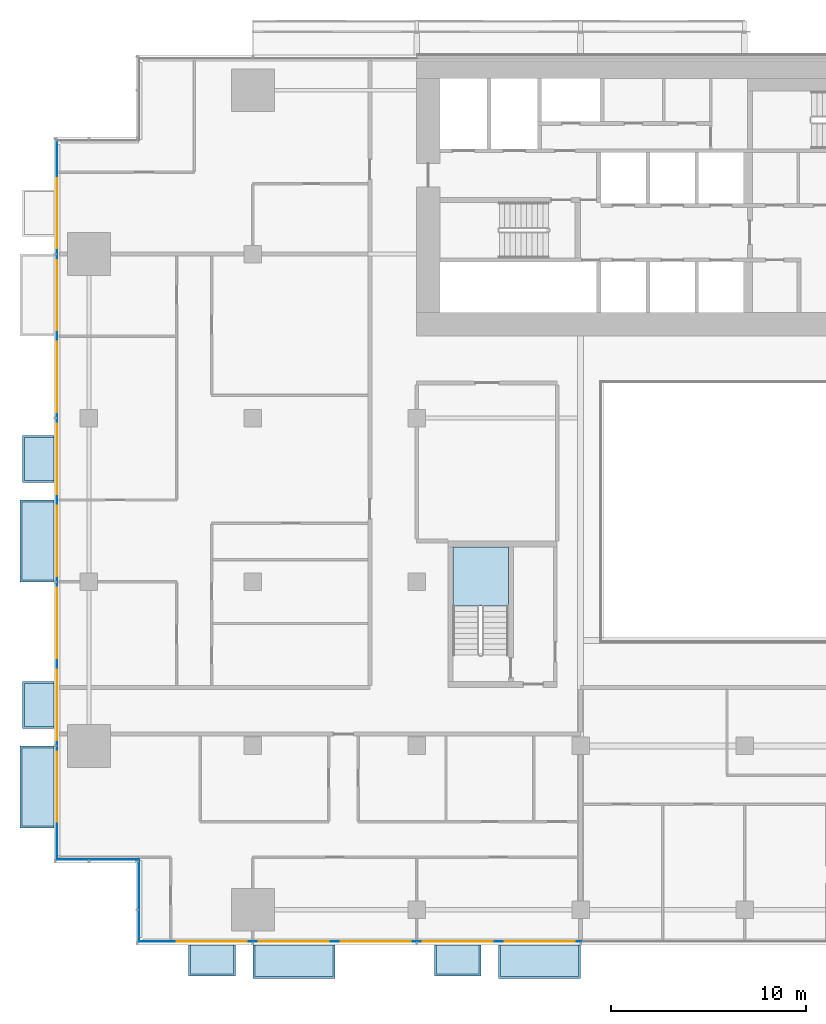
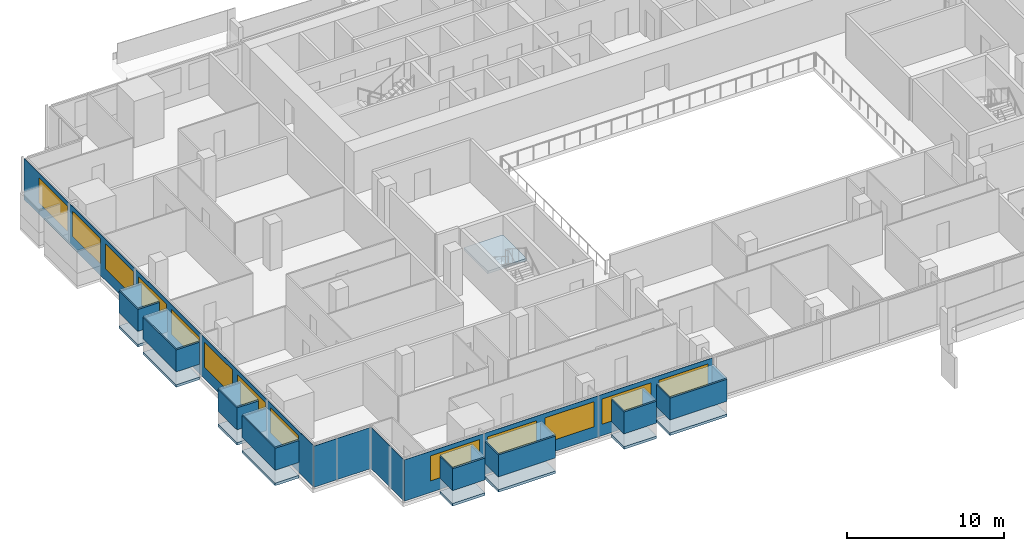
# One storey, part 14 of 27: 20 plates, 13 windows, 9 slabs, 13 openings, 5 elements without a shape of their own.
"""IFC4 building model written with IfcOpenShell, lengths in metres."""

import ifcopenshell
import ifcopenshell.guid

model = None  # the IFC model being written
_history = None  # IfcOwnerHistory: only IFC2X3 demands one
_inside = {}  # id of a spatial element -> (the spatial element, [elements in it])
_under = {}  # id of a project, library or spatial element -> (it, [spatial elements below it])
_declared = {}  # id of a project -> (the project, [libraries it declares])
_typed = {}  # id of a type object -> (the type object, [elements of that type])
_made_of = {}  # id of a material, layer set ... -> (it, [elements and type objects made of it])


def new_model(schema):
    """Start an empty IFC model of exactly this schema.

    Asked for "IFC4X3", IfcOpenShell would pick the latest addendum, in which some entities
    have other attributes; the version numbers below select the first issue.
    IFC2X3 requires an IfcOwnerHistory on every rooted entity: one is made here for all.
    """
    global model, _history
    if schema == "IFC4X3":
        model = ifcopenshell.file(schema_version=(4, 3, 0, 0))
    else:
        model = ifcopenshell.file(schema=schema)
    _inside.clear()
    _under.clear()
    _declared.clear()
    _typed.clear()
    _made_of.clear()
    _history = None
    if model.schema == "IFC2X3":
        org = make("IfcOrganization", Name="unknown")
        user = make(
            "IfcPersonAndOrganization",
            ThePerson=make("IfcPerson", FamilyName="unknown"),
            TheOrganization=org,
        )
        app = make(
            "IfcApplication",
            ApplicationDeveloper=org,
            Version="unknown",
            ApplicationFullName="unknown",
            ApplicationIdentifier="unknown",
        )
        _history = make(
            "IfcOwnerHistory",
            OwningUser=user,
            OwningApplication=app,
            ChangeAction="ADDED",
            CreationDate=0,
        )
    return model


def make(cls, **values):
    """One entity of the class cls with the attributes given. An attribute that is None is left unset."""
    return model.create_entity(
        cls, **{name: value for name, value in values.items() if value is not None}
    )


def rooted(cls, **values):
    """An entity with a GlobalId (a new one), such as an element, a storey or a relation."""
    return make(cls, GlobalId=ifcopenshell.guid.new(), OwnerHistory=_history, **values)


def si_unit(unit_type, name, prefix=None):
    """IfcSIUnit, for example si_unit("LENGTHUNIT", "METRE", prefix="MILLI")."""
    return make("IfcSIUnit", UnitType=unit_type, Prefix=prefix, Name=name)


def assignment(units):
    """IfcUnitAssignment: the units of a project."""
    return None if units is None else make("IfcUnitAssignment", Units=units)


def point(xyz):
    """IfcCartesianPoint."""
    return None if xyz is None else make("IfcCartesianPoint", Coordinates=xyz)


def direction(xyz):
    """IfcDirection."""
    return None if xyz is None else make("IfcDirection", DirectionRatios=xyz)


def frame(location, z_axis=None, x_axis=None):
    """IfcAxis2Placement3D, a coordinate frame: its origin and axes. An axis left out is left unset."""
    return make(
        "IfcAxis2Placement3D",
        Location=point(location),
        Axis=direction(z_axis),
        RefDirection=direction(x_axis),
    )


def frame_2d(location, x_axis=None):
    """IfcAxis2Placement2D, a coordinate frame in the plane: its origin and x axis."""
    return make(
        "IfcAxis2Placement2D", Location=point(location), RefDirection=direction(x_axis)
    )


def origin():
    """The frame at (0, 0, 0) with its axes left unset."""
    return frame((0.0, 0.0, 0.0))


def place(relative_to, where):
    """IfcLocalPlacement: puts the frame where relative to a parent placement (None: the world)."""
    return make(
        "IfcLocalPlacement", PlacementRelTo=relative_to, RelativePlacement=where
    )


def context(
    kind, dimensions, precision=None, world=None, true_north=None, identifier=None
):
    """IfcGeometricRepresentationContext, for example the 3D "Model" context."""
    return make(
        "IfcGeometricRepresentationContext",
        ContextIdentifier=identifier,
        ContextType=kind,
        CoordinateSpaceDimension=dimensions,
        Precision=precision,
        WorldCoordinateSystem=world,
        TrueNorth=true_north,
    )


def subcontext(parent, identifier, kind, view, scale=None):
    """IfcGeometricRepresentationSubContext, for example "Body" below "Model"."""
    return make(
        "IfcGeometricRepresentationSubContext",
        ContextIdentifier=identifier,
        ContextType=kind,
        ParentContext=parent,
        TargetScale=scale,
        TargetView=view,
    )


def project(units=None, contexts=None):
    """IfcProject with its units and contexts."""
    return rooted(
        "IfcProject",
        Name="project",
        RepresentationContexts=contexts,
        UnitsInContext=assignment(units),
    )


def spatial(cls, under=None, at=None, **own):
    """A site, building, storey or space (cls), placed at a placement, below another one or the project."""
    s = rooted(cls, ObjectPlacement=at, **own)
    if under is not None:
        _under.setdefault(under.id(), (under, []))[1].append(s)
    return s


def polyline(points):
    """IfcPolyline through the points."""
    return make("IfcPolyline", Points=[point(p) for p in points])


def profile(cls, at=None, kind="AREA", **sizes):
    """A parametric profile (cls). Its sizes go by their IFC names, for example OverallWidth=200.0."""
    return make(cls, ProfileType=kind, Position=at, **sizes)


def rectangle(**sizes):
    """IfcRectangleProfileDef."""
    return profile("IfcRectangleProfileDef", **sizes)


def outline(outer, holes=None, kind="AREA"):
    """IfcArbitraryClosedProfileDef: a profile drawn as a closed curve; with holes, ...WithVoids."""
    if holes is None:
        return make("IfcArbitraryClosedProfileDef", ProfileType=kind, OuterCurve=outer)
    return make(
        "IfcArbitraryProfileDefWithVoids",
        ProfileType=kind,
        OuterCurve=outer,
        InnerCurves=holes,
    )


def extrude(swept, where, along, depth):
    """IfcExtrudedAreaSolid: the profile swept, set in the frame where, extruded along a direction by depth."""
    return make(
        "IfcExtrudedAreaSolid",
        SweptArea=swept,
        Position=where,
        ExtrudedDirection=direction(along),
        Depth=depth,
    )


def shape(context_of_items, identifier, shape_type, items):
    """IfcShapeRepresentation: the items that make up one representation, for example the "Body"."""
    return make(
        "IfcShapeRepresentation",
        ContextOfItems=context_of_items,
        RepresentationIdentifier=identifier,
        RepresentationType=shape_type,
        Items=items,
    )


def material(Name=None, Category=None):
    """IfcMaterial."""
    return make("IfcMaterial", Name=Name, Category=Category)


def layer(
    of_material, thickness, ventilated=None, Name=None, Category=None, Priority=None
):
    """IfcMaterialLayer: one layer of a wall or slab, of a material (None: an air gap)."""
    return make(
        "IfcMaterialLayer",
        Material=of_material,
        LayerThickness=thickness,
        IsVentilated=ventilated,
        Name=Name,
        Category=Category,
        Priority=Priority,
    )


def layer_set(layers, Name=None):
    """IfcMaterialLayerSet."""
    return make("IfcMaterialLayerSet", MaterialLayers=layers, LayerSetName=Name)


def made_of(thing, what):
    """Note that an element or type object is made of a material, layer set ...; save() writes the relation."""
    if what is not None:
        _made_of.setdefault(what.id(), (what, []))[1].append(thing)
    return thing


def type_object(cls, material=None, **own):
    """A type object (cls), such as IfcWallType, which elements share."""
    return made_of(rooted(cls, **own), material)


def element(
    cls,
    number,
    at=None,
    inside=None,
    cuts=None,
    type_object=None,
    material=None,
    context=None,
    identifier="Body",
    shape_type=None,
    held_by="IfcProductDefinitionShape",
    body=None,
    shapes=None,
    **own,
):
    """One element of the class cls, such as IfcWall. Its Tag is "e" and its number.

    at: its placement. inside: the storey or other place that contains it. cuts: it is an
    opening in that element (IfcRelVoidsElement). A single representation is given by context,
    identifier, shape_type and body (its items); several are given by shapes. held_by: the class
    of the entity that holds the representations. save() writes the other relations.
    """
    e = rooted(cls, Tag="e%d" % number, ObjectPlacement=at, **own)
    if body is not None:
        shapes = [shape(context, identifier, shape_type, body)]
    if shapes is not None:
        e.Representation = make(held_by, Representations=shapes)
    if inside is not None:
        _inside.setdefault(inside.id(), (inside, []))[1].append(e)
    if cuts is not None:
        rooted(
            "IfcRelVoidsElement", RelatingBuildingElement=cuts, RelatedOpeningElement=e
        )
    if type_object is not None:
        _typed.setdefault(type_object.id(), (type_object, []))[1].append(e)
    return made_of(e, material)


def fill(opening, filler):
    """IfcRelFillsElement: the door or window that sits in an opening."""
    return rooted(
        "IfcRelFillsElement",
        RelatingOpeningElement=opening,
        RelatedBuildingElement=filler,
    )


def aggregate(whole, parts):
    """IfcRelAggregates: a whole, such as a stair, and the parts it consists of."""
    return rooted("IfcRelAggregates", RelatingObject=whole, RelatedObjects=parts)


def save(model, path):
    """Write the relations noted so far, then the file.

    IfcRelAggregates (storeys below a building ...), IfcRelContainedInSpatialStructure (elements
    in a storey), IfcRelDefinesByType, IfcRelAssociatesMaterial and IfcRelDeclares: one each for
    every whole, place, type object, material and project.
    """
    for whole, parts in _under.values():
        aggregate(whole, parts)
    for where, things in _inside.values():
        rooted(
            "IfcRelContainedInSpatialStructure",
            RelatedElements=things,
            RelatingStructure=where,
        )
    for kind, things in _typed.values():
        rooted("IfcRelDefinesByType", RelatedObjects=things, RelatingType=kind)
    for what, things in _made_of.values():
        rooted("IfcRelAssociatesMaterial", RelatedObjects=things, RelatingMaterial=what)
    for by, libraries in _declared.values():
        rooted("IfcRelDeclares", RelatingContext=by, RelatedDefinitions=libraries)
    model.write(path)


model = new_model("IFC4")

# Units and contexts
model_context = context("Model", 3, precision=1e-05, world=origin(), true_north=direction((0.0, 1.0)))
body_context = subcontext(model_context, "Body", "Model", "MODEL_VIEW")
ifc_project = project(units=[si_unit("LENGTHUNIT", "METRE"), si_unit("AREAUNIT", "SQUARE_METRE"), si_unit("VOLUMEUNIT", "CUBIC_METRE"), si_unit("PLANEANGLEUNIT", "RADIAN"), si_unit("MASSUNIT", "GRAM", prefix="KILO")], contexts=[model_context])

# Site, building, storey
site_placement = place(None, origin())
site = spatial("IfcSite", under=ifc_project, at=site_placement, CompositionType="ELEMENT")
building_placement = place(site_placement, origin())
building = spatial("IfcBuilding", under=site, at=building_placement, Name="Saffron Gate Tower", CompositionType="ELEMENT")
storey_placement = place(building_placement, frame((0.0, 0.0, 44.39990234375)))
storey = spatial("IfcBuildingStorey", under=building, at=storey_placement, Name="L09", CompositionType="ELEMENT", Elevation=44.39990234375)

# Curtain wall, plate, openings, windows
ifc_material_1 = material(Name="Aluminium, bronze anodised", Category="aluminium")
curtain_wall_type_1 = type_object("IfcCurtainWallType", Name="CWS1 curtain wall front facade", PredefinedType="NOTDEFINED", material=ifc_material_1)
curtain_wall_1_placement = place(storey_placement, origin())
curtain_wall_1 = element("IfcCurtainWall", 1, at=curtain_wall_1_placement, inside=storey, type_object=curtain_wall_type_1, Name="CWS1 run 1", PredefinedType="NOTDEFINED")
ifc_material_2 = material(Name="Fritted bronze-tinted laminated glass", Category="glass")
ifc_layer_1 = layer(ifc_material_2, 0.028076171875)
ifc_layer_set_1 = layer_set([ifc_layer_1], Name="CWS1 fixed glass")
plate_type_1 = type_object("IfcPlateType", Name="CWS1 fixed glass", PredefinedType="CURTAIN_PANEL", material=ifc_layer_set_1)
plate_1_placement = place(storey_placement, frame((52.387939453125, 30.174072265625, 0.0), z_axis=(0.0, 0.0, 1.0), x_axis=(1.0, 0.0, 0.0)))
plate_1 = element("IfcPlate", 2, at=plate_1_placement, type_object=plate_type_1, Name="CWS1 glass panel", PredefinedType="CURTAIN_PANEL", context=body_context, shape_type="SweptSolid", body=[
    extrude(rectangle(XDim=22.64208984375, YDim=0.028076171875, at=frame_2d((11.321044921875, 0.0))), origin(), (0.0, 0.0, 1.0), 3.2001953125),
])
opening_1_placement = place(plate_1_placement, frame((1.912109375, 0.0, 0.89990234375)))
opening_1 = element("IfcOpeningElement", 3, at=opening_1_placement, cuts=plate_1, Name="Opening W1", PredefinedType="OPENING", context=body_context, shape_type="SweptSolid", body=[
    extrude(rectangle(XDim=3.60009765625, YDim=1.949951171875, at=frame_2d((1.800048828125, 0.97509765625))), frame((0.0, 0.02392578125, 0.0), z_axis=(0.0, -1.0, 0.0), x_axis=(1.0, 0.0, 0.0)), (0.0, 0.0, 1.0), 0.048095703125),
])
opening_2_placement = place(plate_1_placement, frame((6.112060546875, 0.0, 0.89990234375)))
opening_2 = element("IfcOpeningElement", 4, at=opening_2_placement, cuts=plate_1, Name="Opening W1", PredefinedType="OPENING", context=body_context, shape_type="SweptSolid", body=[
    extrude(rectangle(XDim=3.60009765625, YDim=1.949951171875, at=frame_2d((1.800048828125, 0.97509765625))), frame((0.0, 0.02392578125, 0.0), z_axis=(0.0, -1.0, 0.0), x_axis=(1.0, 0.0, 0.0)), (0.0, 0.0, 1.0), 0.048095703125),
])
opening_3_placement = place(plate_1_placement, frame((10.31201171875, 0.0, 0.89990234375)))
opening_3 = element("IfcOpeningElement", 5, at=opening_3_placement, cuts=plate_1, Name="Opening W1", PredefinedType="OPENING", context=body_context, shape_type="SweptSolid", body=[
    extrude(rectangle(XDim=3.60009765625, YDim=1.949951171875, at=frame_2d((1.800048828125, 0.97509765625))), frame((0.0, 0.02392578125, 0.0), z_axis=(0.0, -1.0, 0.0), x_axis=(1.0, 0.0, 0.0)), (0.0, 0.0, 1.0), 0.048095703125),
])
opening_4_placement = place(plate_1_placement, frame((14.511962890625, 0.0, 0.89990234375)))
opening_4 = element("IfcOpeningElement", 6, at=opening_4_placement, cuts=plate_1, Name="Opening W1", PredefinedType="OPENING", context=body_context, shape_type="SweptSolid", body=[
    extrude(rectangle(XDim=3.60009765625, YDim=1.949951171875, at=frame_2d((1.800048828125, 0.97509765625))), frame((0.0, 0.02392578125, 0.0), z_axis=(0.0, -1.0, 0.0), x_axis=(1.0, 0.0, 0.0)), (0.0, 0.0, 1.0), 0.048095703125),
])
opening_5_placement = place(plate_1_placement, frame((18.7119140625, 0.0, 0.89990234375)))
opening_5 = element("IfcOpeningElement", 7, at=opening_5_placement, cuts=plate_1, Name="Opening W1", PredefinedType="OPENING", context=body_context, shape_type="SweptSolid", body=[
    extrude(rectangle(XDim=3.60009765625, YDim=1.949951171875, at=frame_2d((1.800048828125, 0.97509765625))), frame((0.0, 0.02392578125, 0.0), z_axis=(0.0, -1.0, 0.0), x_axis=(1.0, 0.0, 0.0)), (0.0, 0.0, 1.0), 0.048095703125),
])
ifc_material_3 = material(Name="Fritted bronze-tinted laminated glass in bronze frame", Category="glass")
ifc_layer_2 = layer(ifc_material_3, 0.06005859375)
ifc_layer_set_2 = layer_set([ifc_layer_2], Name="W1 operable panel 3600x1950")
window_type = type_object("IfcWindowType", Name="W1 operable panel 3600x1950", PartitioningType="DOUBLE_PANEL_HORIZONTAL", PredefinedType="WINDOW", material=ifc_layer_set_2)
window_1_placement = place(opening_1_placement, origin())
window_1 = element("IfcWindow", 8, at=window_1_placement, type_object=window_type, Name="W1 operable panel", OverallHeight=1.949951171875, OverallWidth=3.60009765625, PartitioningType="SINGLE_PANEL", PredefinedType="WINDOW", context=body_context, shape_type="SweptSolid", body=[
    extrude(rectangle(XDim=3.60009765625, YDim=1.949951171875, at=frame_2d((1.800048828125, 0.97509765625))), frame((0.0, 0.013671875, 0.0), z_axis=(0.0, -1.0, 0.0), x_axis=(1.0, 0.0, 0.0)), (0.0, 0.0, 1.0), 0.027587890625),
])
fill(opening_1, window_1)
window_2_placement = place(opening_2_placement, origin())
window_2 = element("IfcWindow", 9, at=window_2_placement, type_object=window_type, Name="W1 operable panel", OverallHeight=1.949951171875, OverallWidth=3.60009765625, PartitioningType="SINGLE_PANEL", PredefinedType="WINDOW", context=body_context, shape_type="SweptSolid", body=[
    extrude(rectangle(XDim=3.60009765625, YDim=1.949951171875, at=frame_2d((1.800048828125, 0.97509765625))), frame((0.0, 0.013671875, 0.0), z_axis=(0.0, -1.0, 0.0), x_axis=(1.0, 0.0, 0.0)), (0.0, 0.0, 1.0), 0.027587890625),
])
fill(opening_2, window_2)
window_3_placement = place(opening_3_placement, origin())
window_3 = element("IfcWindow", 10, at=window_3_placement, type_object=window_type, Name="W1 operable panel", OverallHeight=1.949951171875, OverallWidth=3.60009765625, PartitioningType="SINGLE_PANEL", PredefinedType="WINDOW", context=body_context, shape_type="SweptSolid", body=[
    extrude(rectangle(XDim=3.60009765625, YDim=1.949951171875, at=frame_2d((1.800048828125, 0.97509765625))), frame((0.0, 0.013671875, 0.0), z_axis=(0.0, -1.0, 0.0), x_axis=(1.0, 0.0, 0.0)), (0.0, 0.0, 1.0), 0.027587890625),
])
fill(opening_3, window_3)
window_4_placement = place(opening_4_placement, origin())
window_4 = element("IfcWindow", 11, at=window_4_placement, type_object=window_type, Name="W1 operable panel", OverallHeight=1.949951171875, OverallWidth=3.60009765625, PartitioningType="SINGLE_PANEL", PredefinedType="WINDOW", context=body_context, shape_type="SweptSolid", body=[
    extrude(rectangle(XDim=3.60009765625, YDim=1.949951171875, at=frame_2d((1.800048828125, 0.97509765625))), frame((0.0, 0.013671875, 0.0), z_axis=(0.0, -1.0, 0.0), x_axis=(1.0, 0.0, 0.0)), (0.0, 0.0, 1.0), 0.027587890625),
])
fill(opening_4, window_4)
window_5_placement = place(opening_5_placement, origin())
window_5 = element("IfcWindow", 12, at=window_5_placement, type_object=window_type, Name="W1 operable panel", OverallHeight=1.949951171875, OverallWidth=3.60009765625, PartitioningType="SINGLE_PANEL", PredefinedType="WINDOW", context=body_context, shape_type="SweptSolid", body=[
    extrude(rectangle(XDim=3.60009765625, YDim=1.949951171875, at=frame_2d((1.800048828125, 0.97509765625))), frame((0.0, 0.013671875, 0.0), z_axis=(0.0, -1.0, 0.0), x_axis=(1.0, 0.0, 0.0)), (0.0, 0.0, 1.0), 0.027587890625),
])
fill(opening_5, window_5)
aggregate(curtain_wall_1, [plate_1, window_1, window_2, window_3, window_4, window_5])

curtain_wall_type_2 = type_object("IfcCurtainWallType", Name="CWS2 curtain wall side facades", PredefinedType="NOTDEFINED", material=ifc_material_1)
curtain_wall_2_placement = place(storey_placement, origin())
curtain_wall_2 = element("IfcCurtainWall", 13, at=curtain_wall_2_placement, inside=storey, type_object=curtain_wall_type_2, Name="CWS2 run 10", PredefinedType="NOTDEFINED")
ifc_layer_3 = layer(ifc_material_2, 0.028076171875)
ifc_layer_set_3 = layer_set([ifc_layer_3], Name="CWS2 fixed glass")
plate_type_2 = type_object("IfcPlateType", Name="CWS2 fixed glass", PredefinedType="CURTAIN_PANEL", material=ifc_layer_set_3)
plate_2_placement = place(storey_placement, frame((48.174072265625, 71.2119140625, 0.0), z_axis=(0.0, 0.0, 1.0), x_axis=(0.0, -1.0, 0.0)))
plate_2 = element("IfcPlate", 14, at=plate_2_placement, type_object=plate_type_2, Name="CWS2 glass panel", PredefinedType="CURTAIN_PANEL", context=body_context, shape_type="SweptSolid", body=[
    extrude(rectangle(XDim=36.823974609375, YDim=0.028076171875, at=frame_2d((18.412109375, 0.0))), origin(), (0.0, 0.0, 1.0), 3.2001953125),
])
opening_6_placement = place(plate_2_placement, frame((1.912109375, 0.0, 0.89990234375)))
opening_6 = element("IfcOpeningElement", 15, at=opening_6_placement, cuts=plate_2, Name="Opening W1", PredefinedType="OPENING", context=body_context, shape_type="SweptSolid", body=[
    extrude(rectangle(XDim=3.60009765625, YDim=1.949951171875, at=frame_2d((1.800048828125, 0.97509765625))), frame((0.0, 0.02392578125, 0.0), z_axis=(0.0, -1.0, 0.0), x_axis=(1.0, 0.0, 0.0)), (0.0, 0.0, 1.0), 0.048095703125),
])
opening_7_placement = place(plate_2_placement, frame((6.112060546875, 0.0, 0.89990234375)))
opening_7 = element("IfcOpeningElement", 16, at=opening_7_placement, cuts=plate_2, Name="Opening W1", PredefinedType="OPENING", context=body_context, shape_type="SweptSolid", body=[
    extrude(rectangle(XDim=3.60009765625, YDim=1.949951171875, at=frame_2d((1.800048828125, 0.97509765625))), frame((0.0, 0.02392578125, 0.0), z_axis=(0.0, -1.0, 0.0), x_axis=(1.0, 0.0, 0.0)), (0.0, 0.0, 1.0), 0.048095703125),
])
opening_8_placement = place(plate_2_placement, frame((10.31201171875, 0.0, 0.89990234375)))
opening_8 = element("IfcOpeningElement", 17, at=opening_8_placement, cuts=plate_2, Name="Opening W1", PredefinedType="OPENING", context=body_context, shape_type="SweptSolid", body=[
    extrude(rectangle(XDim=3.60009765625, YDim=1.949951171875, at=frame_2d((1.800048828125, 0.97509765625))), frame((0.0, 0.02392578125, 0.0), z_axis=(0.0, -1.0, 0.0), x_axis=(1.0, 0.0, 0.0)), (0.0, 0.0, 1.0), 0.048095703125),
])
opening_9_placement = place(plate_2_placement, frame((14.511962890625, 0.0, 0.89990234375)))
opening_9 = element("IfcOpeningElement", 18, at=opening_9_placement, cuts=plate_2, Name="Opening W1", PredefinedType="OPENING", context=body_context, shape_type="SweptSolid", body=[
    extrude(rectangle(XDim=3.60009765625, YDim=1.949951171875, at=frame_2d((1.800048828125, 0.97509765625))), frame((0.0, 0.02392578125, 0.0), z_axis=(0.0, -1.0, 0.0), x_axis=(1.0, 0.0, 0.0)), (0.0, 0.0, 1.0), 0.048095703125),
])
opening_10_placement = place(plate_2_placement, frame((18.7119140625, 0.0, 0.89990234375)))
opening_10 = element("IfcOpeningElement", 19, at=opening_10_placement, cuts=plate_2, Name="Opening W1", PredefinedType="OPENING", context=body_context, shape_type="SweptSolid", body=[
    extrude(rectangle(XDim=3.60009765625, YDim=1.949951171875, at=frame_2d((1.800048828125, 0.97509765625))), frame((0.0, 0.02392578125, 0.0), z_axis=(0.0, -1.0, 0.0), x_axis=(1.0, 0.0, 0.0)), (0.0, 0.0, 1.0), 0.048095703125),
])
opening_11_placement = place(plate_2_placement, frame((22.912109375, 0.0, 0.89990234375)))
opening_11 = element("IfcOpeningElement", 20, at=opening_11_placement, cuts=plate_2, Name="Opening W1", PredefinedType="OPENING", context=body_context, shape_type="SweptSolid", body=[
    extrude(rectangle(XDim=3.60009765625, YDim=1.949951171875, at=frame_2d((1.800048828125, 0.97509765625))), frame((0.0, 0.02392578125, 0.0), z_axis=(0.0, -1.0, 0.0), x_axis=(1.0, 0.0, 0.0)), (0.0, 0.0, 1.0), 0.048095703125),
])
opening_12_placement = place(plate_2_placement, frame((27.112060546875, 0.0, 0.89990234375)))
opening_12 = element("IfcOpeningElement", 21, at=opening_12_placement, cuts=plate_2, Name="Opening W1", PredefinedType="OPENING", context=body_context, shape_type="SweptSolid", body=[
    extrude(rectangle(XDim=3.60009765625, YDim=1.949951171875, at=frame_2d((1.800048828125, 0.97509765625))), frame((0.0, 0.02392578125, 0.0), z_axis=(0.0, -1.0, 0.0), x_axis=(1.0, 0.0, 0.0)), (0.0, 0.0, 1.0), 0.048095703125),
])
opening_13_placement = place(plate_2_placement, frame((31.31201171875, 0.0, 0.89990234375)))
opening_13 = element("IfcOpeningElement", 22, at=opening_13_placement, cuts=plate_2, Name="Opening W1", PredefinedType="OPENING", context=body_context, shape_type="SweptSolid", body=[
    extrude(rectangle(XDim=3.60009765625, YDim=1.949951171875, at=frame_2d((1.800048828125, 0.97509765625))), frame((0.0, 0.02392578125, 0.0), z_axis=(0.0, -1.0, 0.0), x_axis=(1.0, 0.0, 0.0)), (0.0, 0.0, 1.0), 0.048095703125),
])
window_6_placement = place(opening_6_placement, origin())
window_6 = element("IfcWindow", 23, at=window_6_placement, type_object=window_type, Name="W1 operable panel", OverallHeight=1.949951171875, OverallWidth=3.60009765625, PartitioningType="SINGLE_PANEL", PredefinedType="WINDOW", context=body_context, shape_type="SweptSolid", body=[
    extrude(rectangle(XDim=3.60009765625, YDim=1.949951171875, at=frame_2d((1.800048828125, 0.97509765625))), frame((0.0, 0.013671875, 0.0), z_axis=(0.0, -1.0, 0.0), x_axis=(1.0, 0.0, 0.0)), (0.0, 0.0, 1.0), 0.027587890625),
])
fill(opening_6, window_6)
window_7_placement = place(opening_7_placement, origin())
window_7 = element("IfcWindow", 24, at=window_7_placement, type_object=window_type, Name="W1 operable panel", OverallHeight=1.949951171875, OverallWidth=3.60009765625, PartitioningType="SINGLE_PANEL", PredefinedType="WINDOW", context=body_context, shape_type="SweptSolid", body=[
    extrude(rectangle(XDim=3.60009765625, YDim=1.949951171875, at=frame_2d((1.800048828125, 0.97509765625))), frame((0.0, 0.013671875, 0.0), z_axis=(0.0, -1.0, 0.0), x_axis=(1.0, 0.0, 0.0)), (0.0, 0.0, 1.0), 0.027587890625),
])
fill(opening_7, window_7)
window_8_placement = place(opening_8_placement, origin())
window_8 = element("IfcWindow", 25, at=window_8_placement, type_object=window_type, Name="W1 operable panel", OverallHeight=1.949951171875, OverallWidth=3.60009765625, PartitioningType="SINGLE_PANEL", PredefinedType="WINDOW", context=body_context, shape_type="SweptSolid", body=[
    extrude(rectangle(XDim=3.60009765625, YDim=1.949951171875, at=frame_2d((1.800048828125, 0.97509765625))), frame((0.0, 0.013671875, 0.0), z_axis=(0.0, -1.0, 0.0), x_axis=(1.0, 0.0, 0.0)), (0.0, 0.0, 1.0), 0.027587890625),
])
fill(opening_8, window_8)
window_9_placement = place(opening_9_placement, origin())
window_9 = element("IfcWindow", 26, at=window_9_placement, type_object=window_type, Name="W1 operable panel", OverallHeight=1.949951171875, OverallWidth=3.60009765625, PartitioningType="SINGLE_PANEL", PredefinedType="WINDOW", context=body_context, shape_type="SweptSolid", body=[
    extrude(rectangle(XDim=3.60009765625, YDim=1.949951171875, at=frame_2d((1.800048828125, 0.97509765625))), frame((0.0, 0.013671875, 0.0), z_axis=(0.0, -1.0, 0.0), x_axis=(1.0, 0.0, 0.0)), (0.0, 0.0, 1.0), 0.027587890625),
])
fill(opening_9, window_9)
window_10_placement = place(opening_10_placement, origin())
window_10 = element("IfcWindow", 27, at=window_10_placement, type_object=window_type, Name="W1 operable panel", OverallHeight=1.949951171875, OverallWidth=3.60009765625, PartitioningType="SINGLE_PANEL", PredefinedType="WINDOW", context=body_context, shape_type="SweptSolid", body=[
    extrude(rectangle(XDim=3.60009765625, YDim=1.949951171875, at=frame_2d((1.800048828125, 0.97509765625))), frame((0.0, 0.013671875, 0.0), z_axis=(0.0, -1.0, 0.0), x_axis=(1.0, 0.0, 0.0)), (0.0, 0.0, 1.0), 0.027587890625),
])
fill(opening_10, window_10)
window_11_placement = place(opening_11_placement, origin())
window_11 = element("IfcWindow", 28, at=window_11_placement, type_object=window_type, Name="W1 operable panel", OverallHeight=1.949951171875, OverallWidth=3.60009765625, PartitioningType="SINGLE_PANEL", PredefinedType="WINDOW", context=body_context, shape_type="SweptSolid", body=[
    extrude(rectangle(XDim=3.60009765625, YDim=1.949951171875, at=frame_2d((1.800048828125, 0.97509765625))), frame((0.0, 0.013671875, 0.0), z_axis=(0.0, -1.0, 0.0), x_axis=(1.0, 0.0, 0.0)), (0.0, 0.0, 1.0), 0.027587890625),
])
fill(opening_11, window_11)
window_12_placement = place(opening_12_placement, origin())
window_12 = element("IfcWindow", 29, at=window_12_placement, type_object=window_type, Name="W1 operable panel", OverallHeight=1.949951171875, OverallWidth=3.60009765625, PartitioningType="SINGLE_PANEL", PredefinedType="WINDOW", context=body_context, shape_type="SweptSolid", body=[
    extrude(rectangle(XDim=3.60009765625, YDim=1.949951171875, at=frame_2d((1.800048828125, 0.97509765625))), frame((0.0, 0.013671875, 0.0), z_axis=(0.0, -1.0, 0.0), x_axis=(1.0, 0.0, 0.0)), (0.0, 0.0, 1.0), 0.027587890625),
])
fill(opening_12, window_12)
window_13_placement = place(opening_13_placement, origin())
window_13 = element("IfcWindow", 30, at=window_13_placement, type_object=window_type, Name="W1 operable panel", OverallHeight=1.949951171875, OverallWidth=3.60009765625, PartitioningType="SINGLE_PANEL", PredefinedType="WINDOW", context=body_context, shape_type="SweptSolid", body=[
    extrude(rectangle(XDim=3.60009765625, YDim=1.949951171875, at=frame_2d((1.800048828125, 0.97509765625))), frame((0.0, 0.013671875, 0.0), z_axis=(0.0, -1.0, 0.0), x_axis=(1.0, 0.0, 0.0)), (0.0, 0.0, 1.0), 0.027587890625),
])
fill(opening_13, window_13)
aggregate(curtain_wall_2, [plate_2, window_6, window_7, window_8, window_9, window_10, window_11, window_12, window_13])

# Curtain wall, plate
curtain_wall_type_3 = type_object("IfcCurtainWallType", Name="CWS4 curtain wall corner returns", PredefinedType="NOTDEFINED", material=ifc_material_1)
curtain_wall_3_placement = place(storey_placement, origin())
curtain_wall_3 = element("IfcCurtainWall", 31, at=curtain_wall_3_placement, inside=storey, type_object=curtain_wall_type_3, Name="CWS4 run 11", PredefinedType="NOTDEFINED")
ifc_layer_4 = layer(ifc_material_2, 0.028076171875)
ifc_layer_set_4 = layer_set([ifc_layer_4], Name="CWS4 fixed glass")
plate_type_3 = type_object("IfcPlateType", Name="CWS4 fixed glass", PredefinedType="CURTAIN_PANEL", material=ifc_layer_set_4)
plate_3_placement = place(storey_placement, frame((48.18798828125, 34.3740234375, 0.0), z_axis=(0.0, 0.0, 1.0), x_axis=(1.0, 0.0, 0.0)))
plate_3 = element("IfcPlate", 32, at=plate_3_placement, type_object=plate_type_3, Name="CWS4 glass panel", PredefinedType="CURTAIN_PANEL", context=body_context, shape_type="SweptSolid", body=[
    extrude(rectangle(XDim=4.172119140625, YDim=0.028076171875, at=frame_2d((2.0859375, 0.0))), origin(), (0.0, 0.0, 1.0), 3.2001953125),
])
aggregate(curtain_wall_3, [plate_3])

curtain_wall_4_placement = place(storey_placement, origin())
curtain_wall_4 = element("IfcCurtainWall", 33, at=curtain_wall_4_placement, inside=storey, type_object=curtain_wall_type_3, Name="CWS4 run 12", PredefinedType="NOTDEFINED")
plate_4_placement = place(storey_placement, frame((52.3740234375, 34.360107421875, 0.0), z_axis=(0.0, 0.0, 1.0), x_axis=(0.0, -1.0, 0.0)))
plate_4 = element("IfcPlate", 34, at=plate_4_placement, type_object=plate_type_3, Name="CWS4 glass panel", PredefinedType="CURTAIN_PANEL", context=body_context, shape_type="SweptSolid", body=[
    extrude(rectangle(XDim=4.172119140625, YDim=0.028076171875, at=frame_2d((2.0859375, 0.0))), origin(), (0.0, 0.0, 1.0), 3.2001953125),
])
aggregate(curtain_wall_4, [plate_4])

# Stair, slab
ifc_material_4 = material(Name="Concrete C40", Category="concrete")
stair_type = type_object("IfcStairType", Name="ST7 Stair 1350 wide, 20 risers of 180", PredefinedType="HALF_TURN_STAIR", material=ifc_material_4)
stair_placement = place(storey_placement, origin())
stair = element("IfcStair", 35, at=stair_placement, inside=storey, type_object=stair_type, Name="L09 Exit stair D", PredefinedType="HALF_TURN_STAIR")
ifc_layer_5 = layer(ifc_material_4, 0.199951171875)
ifc_layer_set_5 = layer_set([ifc_layer_5], Name="SL1 Stair landing 200")
slab_type_1 = type_object("IfcSlabType", Name="SL1 Stair landing 200", PredefinedType="LANDING", material=ifc_layer_set_5)
slab_1_placement = place(storey_placement, frame((0.0, 0.0, 1.60009765625)))
slab_1 = element("IfcSlab", 36, at=slab_1_placement, type_object=slab_type_1, Name="ST-D landing 1", PredefinedType="LANDING", context=body_context, shape_type="SweptSolid", body=[
    extrude(outline(polyline([(71.300048828125, 47.3701171875), (71.300048828125, 50.39990234375), (68.449951171875, 50.39990234375), (68.449951171875, 47.3701171875), (71.300048828125, 47.3701171875)])), origin(), (0.0, 0.0, 1.0), 0.199951171875),
])
aggregate(stair, [slab_1])

# Slabs
ifc_material_5 = material(Name="Timber deck on bronze frame", Category="wood")
ifc_layer_6 = layer(ifc_material_5, 0.199951171875)
ifc_layer_set_6 = layer_set([ifc_layer_6], Name="WB1 box floor")
slab_type_2 = type_object("IfcSlabType", Name="WB1 box floor", PredefinedType="FLOOR", material=ifc_layer_set_6)
slab_2_placement = place(storey_placement, frame((0.0, 0.0, -0.199951171875)))
element("IfcSlab", 37, at=slab_2_placement, inside=storey, type_object=slab_type_2, Name="WINDOW BOX floor", PredefinedType="FLOOR", context=body_context, shape_type="SweptSolid", body=[
    extrude(outline(polyline([(54.89990234375, 30.0), (57.300048828125, 30.0), (57.300048828125, 28.39990234375), (54.89990234375, 28.39990234375), (54.89990234375, 30.0)])), origin(), (0.0, 0.0, 1.0), 0.199951171875),
])
slab_3_placement = place(storey_placement, frame((0.0, 0.0, -0.199951171875)))
element("IfcSlab", 38, at=slab_3_placement, inside=storey, type_object=slab_type_2, Name="WINDOW BOX floor", PredefinedType="FLOOR", context=body_context, shape_type="SweptSolid", body=[
    extrude(outline(polyline([(58.199951171875, 30.0), (62.39990234375, 30.0), (62.39990234375, 28.26708984375), (58.199951171875, 28.26708984375), (58.199951171875, 30.0)])), origin(), (0.0, 0.0, 1.0), 0.199951171875),
])
slab_4_placement = place(storey_placement, frame((0.0, 0.0, -0.199951171875)))
element("IfcSlab", 39, at=slab_4_placement, inside=storey, type_object=slab_type_2, Name="WINDOW BOX floor", PredefinedType="FLOOR", context=body_context, shape_type="SweptSolid", body=[
    extrude(outline(polyline([(67.5, 30.0), (69.89990234375, 30.0), (69.89990234375, 28.39990234375), (67.5, 28.39990234375), (67.5, 30.0)])), origin(), (0.0, 0.0, 1.0), 0.199951171875),
])
slab_5_placement = place(storey_placement, frame((0.0, 0.0, -0.199951171875)))
element("IfcSlab", 40, at=slab_5_placement, inside=storey, type_object=slab_type_2, Name="WINDOW BOX floor", PredefinedType="FLOOR", context=body_context, shape_type="SweptSolid", body=[
    extrude(outline(polyline([(70.800048828125, 30.0), (75.0, 30.0), (75.0, 28.26708984375), (70.800048828125, 28.26708984375), (70.800048828125, 30.0)])), origin(), (0.0, 0.0, 1.0), 0.199951171875),
])
slab_6_placement = place(storey_placement, frame((0.0, 0.0, -0.199951171875)))
element("IfcSlab", 41, at=slab_6_placement, inside=storey, type_object=slab_type_2, Name="WINDOW BOX floor", PredefinedType="FLOOR", context=body_context, shape_type="SweptSolid", body=[
    extrude(outline(polyline([(48.0, 56.10009765625), (48.0, 53.699951171875), (46.39990234375, 53.699951171875), (46.39990234375, 56.10009765625), (48.0, 56.10009765625)])), origin(), (0.0, 0.0, 1.0), 0.199951171875),
])
slab_7_placement = place(storey_placement, frame((0.0, 0.0, -0.199951171875)))
element("IfcSlab", 42, at=slab_7_placement, inside=storey, type_object=slab_type_2, Name="WINDOW BOX floor", PredefinedType="FLOOR", context=body_context, shape_type="SweptSolid", body=[
    extrude(outline(polyline([(48.0, 52.800048828125), (48.0, 48.60009765625), (46.26708984375, 48.60009765625), (46.26708984375, 52.800048828125), (48.0, 52.800048828125)])), origin(), (0.0, 0.0, 1.0), 0.199951171875),
])
slab_8_placement = place(storey_placement, frame((0.0, 0.0, -0.199951171875)))
element("IfcSlab", 43, at=slab_8_placement, inside=storey, type_object=slab_type_2, Name="WINDOW BOX floor", PredefinedType="FLOOR", context=body_context, shape_type="SweptSolid", body=[
    extrude(outline(polyline([(48.0, 43.5), (48.0, 41.10009765625), (46.39990234375, 41.10009765625), (46.39990234375, 43.5), (48.0, 43.5)])), origin(), (0.0, 0.0, 1.0), 0.199951171875),
])
slab_9_placement = place(storey_placement, frame((0.0, 0.0, -0.199951171875)))
element("IfcSlab", 44, at=slab_9_placement, inside=storey, type_object=slab_type_2, Name="WINDOW BOX floor", PredefinedType="FLOOR", context=body_context, shape_type="SweptSolid", body=[
    extrude(outline(polyline([(48.0, 40.199951171875), (48.0, 36.0), (46.26708984375, 36.0), (46.26708984375, 40.199951171875), (48.0, 40.199951171875)])), origin(), (0.0, 0.0, 1.0), 0.199951171875),
])

# Plates
ifc_layer_7 = layer(ifc_material_1, 0.1201171875)
ifc_layer_set_7 = layer_set([ifc_layer_7], Name="WB2 box roof")
plate_type_4 = type_object("IfcPlateType", Name="WB2 box roof", PredefinedType="SHEET", material=ifc_layer_set_7)
plate_5_placement = place(storey_placement, frame((0.0, 0.0, 2.7001953125)))
element("IfcPlate", 45, at=plate_5_placement, inside=storey, type_object=plate_type_4, Name="WINDOW BOX roof", PredefinedType="SHEET", context=body_context, shape_type="SweptSolid", body=[
    extrude(outline(polyline([(54.89990234375, 30.0), (57.300048828125, 30.0), (57.300048828125, 28.39990234375), (54.89990234375, 28.39990234375), (54.89990234375, 30.0)])), origin(), (0.0, 0.0, 1.0), 0.119873046875),
])
plate_6_placement = place(storey_placement, frame((0.0, 0.0, 2.7001953125)))
element("IfcPlate", 46, at=plate_6_placement, inside=storey, type_object=plate_type_4, Name="WINDOW BOX roof", PredefinedType="SHEET", context=body_context, shape_type="SweptSolid", body=[
    extrude(outline(polyline([(58.199951171875, 30.0), (62.39990234375, 30.0), (62.39990234375, 28.26708984375), (58.199951171875, 28.26708984375), (58.199951171875, 30.0)])), origin(), (0.0, 0.0, 1.0), 0.119873046875),
])
plate_7_placement = place(storey_placement, frame((0.0, 0.0, 2.7001953125)))
element("IfcPlate", 47, at=plate_7_placement, inside=storey, type_object=plate_type_4, Name="WINDOW BOX roof", PredefinedType="SHEET", context=body_context, shape_type="SweptSolid", body=[
    extrude(outline(polyline([(67.5, 30.0), (69.89990234375, 30.0), (69.89990234375, 28.39990234375), (67.5, 28.39990234375), (67.5, 30.0)])), origin(), (0.0, 0.0, 1.0), 0.119873046875),
])
plate_8_placement = place(storey_placement, frame((0.0, 0.0, 2.7001953125)))
element("IfcPlate", 48, at=plate_8_placement, inside=storey, type_object=plate_type_4, Name="WINDOW BOX roof", PredefinedType="SHEET", context=body_context, shape_type="SweptSolid", body=[
    extrude(outline(polyline([(70.800048828125, 30.0), (75.0, 30.0), (75.0, 28.26708984375), (70.800048828125, 28.26708984375), (70.800048828125, 30.0)])), origin(), (0.0, 0.0, 1.0), 0.119873046875),
])
plate_9_placement = place(storey_placement, frame((0.0, 0.0, 2.7001953125)))
element("IfcPlate", 49, at=plate_9_placement, inside=storey, type_object=plate_type_4, Name="WINDOW BOX roof", PredefinedType="SHEET", context=body_context, shape_type="SweptSolid", body=[
    extrude(outline(polyline([(48.0, 56.10009765625), (48.0, 53.699951171875), (46.39990234375, 53.699951171875), (46.39990234375, 56.10009765625), (48.0, 56.10009765625)])), origin(), (0.0, 0.0, 1.0), 0.119873046875),
])
plate_10_placement = place(storey_placement, frame((0.0, 0.0, 2.7001953125)))
element("IfcPlate", 50, at=plate_10_placement, inside=storey, type_object=plate_type_4, Name="WINDOW BOX roof", PredefinedType="SHEET", context=body_context, shape_type="SweptSolid", body=[
    extrude(outline(polyline([(48.0, 52.800048828125), (48.0, 48.60009765625), (46.26708984375, 48.60009765625), (46.26708984375, 52.800048828125), (48.0, 52.800048828125)])), origin(), (0.0, 0.0, 1.0), 0.119873046875),
])
plate_11_placement = place(storey_placement, frame((0.0, 0.0, 2.7001953125)))
element("IfcPlate", 51, at=plate_11_placement, inside=storey, type_object=plate_type_4, Name="WINDOW BOX roof", PredefinedType="SHEET", context=body_context, shape_type="SweptSolid", body=[
    extrude(outline(polyline([(48.0, 43.5), (48.0, 41.10009765625), (46.39990234375, 41.10009765625), (46.39990234375, 43.5), (48.0, 43.5)])), origin(), (0.0, 0.0, 1.0), 0.119873046875),
])
plate_12_placement = place(storey_placement, frame((0.0, 0.0, 2.7001953125)))
element("IfcPlate", 52, at=plate_12_placement, inside=storey, type_object=plate_type_4, Name="WINDOW BOX roof", PredefinedType="SHEET", context=body_context, shape_type="SweptSolid", body=[
    extrude(outline(polyline([(48.0, 40.199951171875), (48.0, 36.0), (46.26708984375, 36.0), (46.26708984375, 40.199951171875), (48.0, 40.199951171875)])), origin(), (0.0, 0.0, 1.0), 0.119873046875),
])
ifc_material_6 = material(Name="Clear low-iron laminated glass", Category="glass")
ifc_layer_8 = layer(ifc_material_6, 0.10009765625)
ifc_layer_set_8 = layer_set([ifc_layer_8], Name="WB6 box glazing")
plate_type_5 = type_object("IfcPlateType", Name="WB6 box glazing", PredefinedType="SHEET", material=ifc_layer_set_8)
plate_13_placement = place(storey_placement, frame((0.0, 0.0, 1.0)))
element("IfcPlate", 53, at=plate_13_placement, inside=storey, type_object=plate_type_5, Name="WINDOW BOX glazing", PredefinedType="SHEET", context=body_context, shape_type="SweptSolid", body=[
    extrude(outline(polyline([(54.89990234375, 30.0), (55.0, 30.0), (55.0, 28.5), (57.199951171875, 28.5), (57.199951171875, 30.0), (57.300048828125, 30.0), (57.300048828125, 28.39990234375), (54.89990234375, 28.39990234375), (54.89990234375, 30.0)])), origin(), (0.0, 0.0, 1.0), 1.7001953125),
])
plate_14_placement = place(storey_placement, frame((0.0, 0.0, 1.0)))
element("IfcPlate", 54, at=plate_14_placement, inside=storey, type_object=plate_type_5, Name="WINDOW BOX glazing", PredefinedType="SHEET", context=body_context, shape_type="SweptSolid", body=[
    extrude(outline(polyline([(58.199951171875, 30.0), (58.300048828125, 30.0), (58.300048828125, 28.366943359375), (62.300048828125, 28.366943359375), (62.300048828125, 30.0), (62.39990234375, 30.0), (62.39990234375, 28.26708984375), (58.199951171875, 28.26708984375), (58.199951171875, 30.0)])), origin(), (0.0, 0.0, 1.0), 1.7001953125),
])
plate_15_placement = place(storey_placement, frame((0.0, 0.0, 1.0)))
element("IfcPlate", 55, at=plate_15_placement, inside=storey, type_object=plate_type_5, Name="WINDOW BOX glazing", PredefinedType="SHEET", context=body_context, shape_type="SweptSolid", body=[
    extrude(outline(polyline([(67.5, 30.0), (67.60009765625, 30.0), (67.60009765625, 28.5), (69.800048828125, 28.5), (69.800048828125, 30.0), (69.89990234375, 30.0), (69.89990234375, 28.39990234375), (67.5, 28.39990234375), (67.5, 30.0)])), origin(), (0.0, 0.0, 1.0), 1.7001953125),
])
plate_16_placement = place(storey_placement, frame((0.0, 0.0, 1.0)))
element("IfcPlate", 56, at=plate_16_placement, inside=storey, type_object=plate_type_5, Name="WINDOW BOX glazing", PredefinedType="SHEET", context=body_context, shape_type="SweptSolid", body=[
    extrude(outline(polyline([(70.800048828125, 30.0), (70.89990234375, 30.0), (70.89990234375, 28.366943359375), (74.89990234375, 28.366943359375), (74.89990234375, 30.0), (75.0, 30.0), (75.0, 28.26708984375), (70.800048828125, 28.26708984375), (70.800048828125, 30.0)])), origin(), (0.0, 0.0, 1.0), 1.7001953125),
])
plate_17_placement = place(storey_placement, frame((0.0, 0.0, 1.0)))
element("IfcPlate", 57, at=plate_17_placement, inside=storey, type_object=plate_type_5, Name="WINDOW BOX glazing", PredefinedType="SHEET", context=body_context, shape_type="SweptSolid", body=[
    extrude(outline(polyline([(48.0, 56.10009765625), (48.0, 56.0), (46.5, 56.0), (46.5, 53.800048828125), (48.0, 53.800048828125), (48.0, 53.699951171875), (46.39990234375, 53.699951171875), (46.39990234375, 56.10009765625), (48.0, 56.10009765625)])), origin(), (0.0, 0.0, 1.0), 1.7001953125),
])
plate_18_placement = place(storey_placement, frame((0.0, 0.0, 1.0)))
element("IfcPlate", 58, at=plate_18_placement, inside=storey, type_object=plate_type_5, Name="WINDOW BOX glazing", PredefinedType="SHEET", context=body_context, shape_type="SweptSolid", body=[
    extrude(outline(polyline([(48.0, 52.800048828125), (48.0, 52.699951171875), (46.366943359375, 52.699951171875), (46.366943359375, 48.699951171875), (48.0, 48.699951171875), (48.0, 48.60009765625), (46.26708984375, 48.60009765625), (46.26708984375, 52.800048828125), (48.0, 52.800048828125)])), origin(), (0.0, 0.0, 1.0), 1.7001953125),
])
plate_19_placement = place(storey_placement, frame((0.0, 0.0, 1.0)))
element("IfcPlate", 59, at=plate_19_placement, inside=storey, type_object=plate_type_5, Name="WINDOW BOX glazing", PredefinedType="SHEET", context=body_context, shape_type="SweptSolid", body=[
    extrude(outline(polyline([(48.0, 43.5), (48.0, 43.39990234375), (46.5, 43.39990234375), (46.5, 41.199951171875), (48.0, 41.199951171875), (48.0, 41.10009765625), (46.39990234375, 41.10009765625), (46.39990234375, 43.5), (48.0, 43.5)])), origin(), (0.0, 0.0, 1.0), 1.7001953125),
])
plate_20_placement = place(storey_placement, frame((0.0, 0.0, 1.0)))
element("IfcPlate", 60, at=plate_20_placement, inside=storey, type_object=plate_type_5, Name="WINDOW BOX glazing", PredefinedType="SHEET", context=body_context, shape_type="SweptSolid", body=[
    extrude(outline(polyline([(48.0, 40.199951171875), (48.0, 40.10009765625), (46.366943359375, 40.10009765625), (46.366943359375, 36.10009765625), (48.0, 36.10009765625), (48.0, 36.0), (46.26708984375, 36.0), (46.26708984375, 40.199951171875), (48.0, 40.199951171875)])), origin(), (0.0, 0.0, 1.0), 1.7001953125),
])

save(model, "model.ifc")
